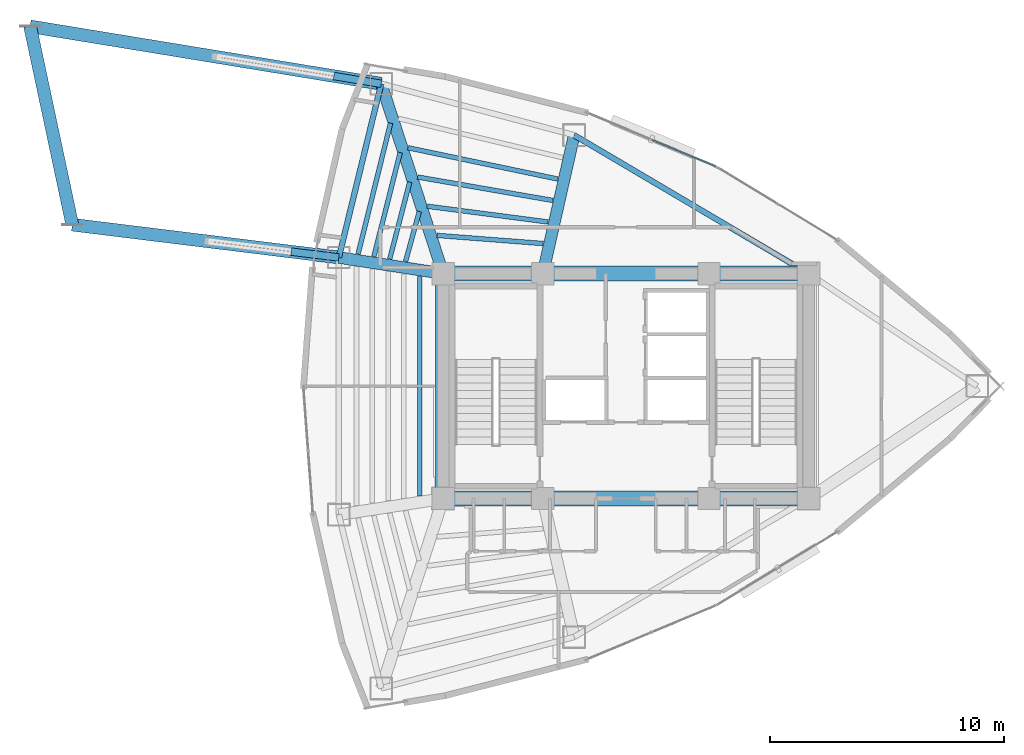
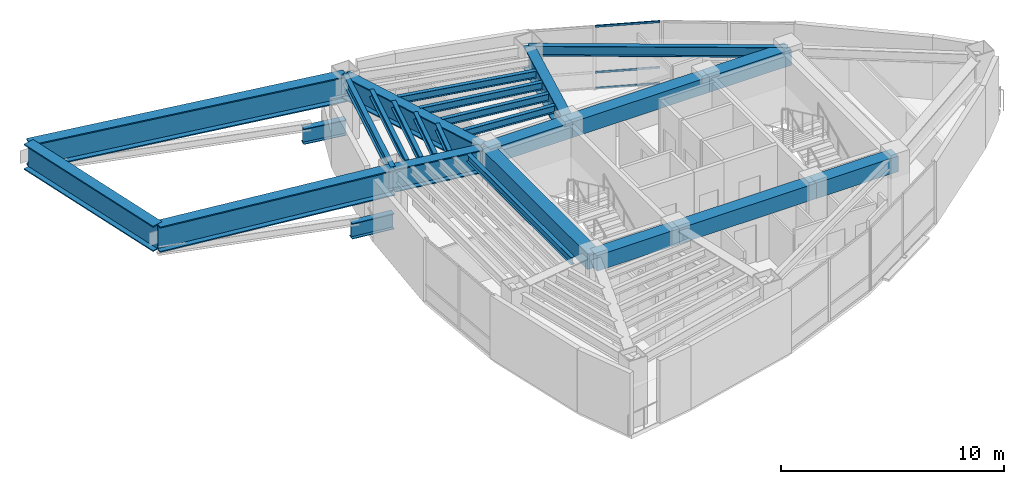
# One storey, part 5 of 14: 26 beams, 3 members, 1 element without a shape of its own.
"""IFC4 building model written with IfcOpenShell, lengths in metres."""

import ifcopenshell
import ifcopenshell.guid

model = None  # the IFC model being written
_history = None  # IfcOwnerHistory: only IFC2X3 demands one
_inside = {}  # id of a spatial element -> (the spatial element, [elements in it])
_under = {}  # id of a project, library or spatial element -> (it, [spatial elements below it])
_declared = {}  # id of a project -> (the project, [libraries it declares])
_typed = {}  # id of a type object -> (the type object, [elements of that type])
_made_of = {}  # id of a material, layer set ... -> (it, [elements and type objects made of it])


def new_model(schema):
    """Start an empty IFC model of exactly this schema.

    Asked for "IFC4X3", IfcOpenShell would pick the latest addendum, in which some entities
    have other attributes; the version numbers below select the first issue.
    IFC2X3 requires an IfcOwnerHistory on every rooted entity: one is made here for all.
    """
    global model, _history
    if schema == "IFC4X3":
        model = ifcopenshell.file(schema_version=(4, 3, 0, 0))
    else:
        model = ifcopenshell.file(schema=schema)
    _inside.clear()
    _under.clear()
    _declared.clear()
    _typed.clear()
    _made_of.clear()
    _history = None
    if model.schema == "IFC2X3":
        org = make("IfcOrganization", Name="unknown")
        user = make(
            "IfcPersonAndOrganization",
            ThePerson=make("IfcPerson", FamilyName="unknown"),
            TheOrganization=org,
        )
        app = make(
            "IfcApplication",
            ApplicationDeveloper=org,
            Version="unknown",
            ApplicationFullName="unknown",
            ApplicationIdentifier="unknown",
        )
        _history = make(
            "IfcOwnerHistory",
            OwningUser=user,
            OwningApplication=app,
            ChangeAction="ADDED",
            CreationDate=0,
        )
    return model


def make(cls, **values):
    """One entity of the class cls with the attributes given. An attribute that is None is left unset."""
    return model.create_entity(
        cls, **{name: value for name, value in values.items() if value is not None}
    )


def rooted(cls, **values):
    """An entity with a GlobalId (a new one), such as an element, a storey or a relation."""
    return make(cls, GlobalId=ifcopenshell.guid.new(), OwnerHistory=_history, **values)


def si_unit(unit_type, name, prefix=None):
    """IfcSIUnit, for example si_unit("LENGTHUNIT", "METRE", prefix="MILLI")."""
    return make("IfcSIUnit", UnitType=unit_type, Prefix=prefix, Name=name)


def assignment(units):
    """IfcUnitAssignment: the units of a project."""
    return None if units is None else make("IfcUnitAssignment", Units=units)


def point(xyz):
    """IfcCartesianPoint."""
    return None if xyz is None else make("IfcCartesianPoint", Coordinates=xyz)


def direction(xyz):
    """IfcDirection."""
    return None if xyz is None else make("IfcDirection", DirectionRatios=xyz)


def frame(location, z_axis=None, x_axis=None):
    """IfcAxis2Placement3D, a coordinate frame: its origin and axes. An axis left out is left unset."""
    return make(
        "IfcAxis2Placement3D",
        Location=point(location),
        Axis=direction(z_axis),
        RefDirection=direction(x_axis),
    )


def frame_2d(location, x_axis=None):
    """IfcAxis2Placement2D, a coordinate frame in the plane: its origin and x axis."""
    return make(
        "IfcAxis2Placement2D", Location=point(location), RefDirection=direction(x_axis)
    )


def origin():
    """The frame at (0, 0, 0) with its axes left unset."""
    return frame((0.0, 0.0, 0.0))


def origin_2d():
    """The frame at (0, 0) in the plane with its x axis left unset."""
    return frame_2d((0.0, 0.0))


def place(relative_to, where):
    """IfcLocalPlacement: puts the frame where relative to a parent placement (None: the world)."""
    return make(
        "IfcLocalPlacement", PlacementRelTo=relative_to, RelativePlacement=where
    )


def context(
    kind, dimensions, precision=None, world=None, true_north=None, identifier=None
):
    """IfcGeometricRepresentationContext, for example the 3D "Model" context."""
    return make(
        "IfcGeometricRepresentationContext",
        ContextIdentifier=identifier,
        ContextType=kind,
        CoordinateSpaceDimension=dimensions,
        Precision=precision,
        WorldCoordinateSystem=world,
        TrueNorth=true_north,
    )


def subcontext(parent, identifier, kind, view, scale=None):
    """IfcGeometricRepresentationSubContext, for example "Body" below "Model"."""
    return make(
        "IfcGeometricRepresentationSubContext",
        ContextIdentifier=identifier,
        ContextType=kind,
        ParentContext=parent,
        TargetScale=scale,
        TargetView=view,
    )


def project(units=None, contexts=None):
    """IfcProject with its units and contexts."""
    return rooted(
        "IfcProject",
        Name="project",
        RepresentationContexts=contexts,
        UnitsInContext=assignment(units),
    )


def spatial(cls, under=None, at=None, **own):
    """A site, building, storey or space (cls), placed at a placement, below another one or the project."""
    s = rooted(cls, ObjectPlacement=at, **own)
    if under is not None:
        _under.setdefault(under.id(), (under, []))[1].append(s)
    return s


def profile(cls, at=None, kind="AREA", **sizes):
    """A parametric profile (cls). Its sizes go by their IFC names, for example OverallWidth=200.0."""
    return make(cls, ProfileType=kind, Position=at, **sizes)


def rectangle(**sizes):
    """IfcRectangleProfileDef."""
    return profile("IfcRectangleProfileDef", **sizes)


def hollow_rectangle(**sizes):
    """IfcRectangleHollowProfileDef."""
    return profile("IfcRectangleHollowProfileDef", **sizes)


def i_section(**sizes):
    """IfcIShapeProfileDef."""
    return profile("IfcIShapeProfileDef", **sizes)


def extrude(swept, where, along, depth):
    """IfcExtrudedAreaSolid: the profile swept, set in the frame where, extruded along a direction by depth."""
    return make(
        "IfcExtrudedAreaSolid",
        SweptArea=swept,
        Position=where,
        ExtrudedDirection=direction(along),
        Depth=depth,
    )


def shape(context_of_items, identifier, shape_type, items):
    """IfcShapeRepresentation: the items that make up one representation, for example the "Body"."""
    return make(
        "IfcShapeRepresentation",
        ContextOfItems=context_of_items,
        RepresentationIdentifier=identifier,
        RepresentationType=shape_type,
        Items=items,
    )


def material(Name=None, Category=None):
    """IfcMaterial."""
    return make("IfcMaterial", Name=Name, Category=Category)


def layer(
    of_material, thickness, ventilated=None, Name=None, Category=None, Priority=None
):
    """IfcMaterialLayer: one layer of a wall or slab, of a material (None: an air gap)."""
    return make(
        "IfcMaterialLayer",
        Material=of_material,
        LayerThickness=thickness,
        IsVentilated=ventilated,
        Name=Name,
        Category=Category,
        Priority=Priority,
    )


def layer_set(layers, Name=None):
    """IfcMaterialLayerSet."""
    return make("IfcMaterialLayerSet", MaterialLayers=layers, LayerSetName=Name)


def material_profile(
    of_material, cross_section, Name=None, Category=None, Priority=None
):
    """IfcMaterialProfile: a cross section and its material."""
    return make(
        "IfcMaterialProfile",
        Name=Name,
        Material=of_material,
        Profile=cross_section,
        Priority=Priority,
        Category=Category,
    )


def profile_set(profiles, Name=None, composite=None):
    """IfcMaterialProfileSet."""
    return make(
        "IfcMaterialProfileSet",
        Name=Name,
        MaterialProfiles=profiles,
        CompositeProfile=composite,
    )


def made_of(thing, what):
    """Note that an element or type object is made of a material, layer set ...; save() writes the relation."""
    if what is not None:
        _made_of.setdefault(what.id(), (what, []))[1].append(thing)
    return thing


def type_object(cls, material=None, **own):
    """A type object (cls), such as IfcWallType, which elements share."""
    return made_of(rooted(cls, **own), material)


def element(
    cls,
    number,
    at=None,
    inside=None,
    cuts=None,
    type_object=None,
    material=None,
    context=None,
    identifier="Body",
    shape_type=None,
    held_by="IfcProductDefinitionShape",
    body=None,
    shapes=None,
    **own,
):
    """One element of the class cls, such as IfcWall. Its Tag is "e" and its number.

    at: its placement. inside: the storey or other place that contains it. cuts: it is an
    opening in that element (IfcRelVoidsElement). A single representation is given by context,
    identifier, shape_type and body (its items); several are given by shapes. held_by: the class
    of the entity that holds the representations. save() writes the other relations.
    """
    e = rooted(cls, Tag="e%d" % number, ObjectPlacement=at, **own)
    if body is not None:
        shapes = [shape(context, identifier, shape_type, body)]
    if shapes is not None:
        e.Representation = make(held_by, Representations=shapes)
    if inside is not None:
        _inside.setdefault(inside.id(), (inside, []))[1].append(e)
    if cuts is not None:
        rooted(
            "IfcRelVoidsElement", RelatingBuildingElement=cuts, RelatedOpeningElement=e
        )
    if type_object is not None:
        _typed.setdefault(type_object.id(), (type_object, []))[1].append(e)
    return made_of(e, material)


def aggregate(whole, parts):
    """IfcRelAggregates: a whole, such as a stair, and the parts it consists of."""
    return rooted("IfcRelAggregates", RelatingObject=whole, RelatedObjects=parts)


def save(model, path):
    """Write the relations noted so far, then the file.

    IfcRelAggregates (storeys below a building ...), IfcRelContainedInSpatialStructure (elements
    in a storey), IfcRelDefinesByType, IfcRelAssociatesMaterial and IfcRelDeclares: one each for
    every whole, place, type object, material and project.
    """
    for whole, parts in _under.values():
        aggregate(whole, parts)
    for where, things in _inside.values():
        rooted(
            "IfcRelContainedInSpatialStructure",
            RelatedElements=things,
            RelatingStructure=where,
        )
    for kind, things in _typed.values():
        rooted("IfcRelDefinesByType", RelatedObjects=things, RelatingType=kind)
    for what, things in _made_of.values():
        rooted("IfcRelAssociatesMaterial", RelatedObjects=things, RelatingMaterial=what)
    for by, libraries in _declared.values():
        rooted("IfcRelDeclares", RelatingContext=by, RelatedDefinitions=libraries)
    model.write(path)


model = new_model("IFC4")

# Units and contexts
model_context = context("Model", 3, precision=1e-05, world=origin(), true_north=direction((0.0, 1.0)))
body_context = subcontext(model_context, "Body", "Model", "MODEL_VIEW")
ifc_project = project(units=[si_unit("LENGTHUNIT", "METRE"), si_unit("AREAUNIT", "SQUARE_METRE"), si_unit("VOLUMEUNIT", "CUBIC_METRE"), si_unit("PLANEANGLEUNIT", "RADIAN"), si_unit("MASSUNIT", "GRAM", prefix="KILO")], contexts=[model_context])

# Site, building, storey
site_placement = place(None, origin())
site = spatial("IfcSite", under=ifc_project, at=site_placement, CompositionType="ELEMENT")
building_placement = place(site_placement, origin())
building = spatial("IfcBuilding", under=site, at=building_placement, Name="Menara Vayukalpa", CompositionType="ELEMENT")
storey_placement = place(building_placement, frame((0.0, 0.0, 191.52001953125)))
storey = spatial("IfcBuildingStorey", under=building, at=storey_placement, Name="L48", CompositionType="ELEMENT", Elevation=191.52001953125)

# Beams
ifc_material_1 = material(Name="Concrete C60/75", Category="concrete")
ifc_material_profile_1 = material_profile(ifc_material_1, rectangle(XDim=0.64990234375, YDim=0.85009765625, at=origin_2d()), Name="RC 650x850")
ifc_profile_set_1 = profile_set([ifc_material_profile_1], Name="Concrete C60/75")
beam_type_1 = type_object("IfcBeamType", Name="BM-CB1", PredefinedType="BEAM", material=ifc_profile_set_1)
beam_1_placement = place(storey_placement, frame((17.800048828125, 17.199951171875, 3.014892578125), z_axis=(1.0, 0.0, 0.0), x_axis=(0.0, 1.0, 0.0)))
element("IfcBeam", 1, at=beam_1_placement, inside=storey, type_object=beam_type_1, Name="L48 Core Tie Beam CBR1", PredefinedType="BEAM", context=body_context, shape_type="SweptSolid", body=[
    extrude(rectangle(XDim=0.64990234375, YDim=0.85009765625, at=origin_2d()), origin(), (0.0, 0.0, 1.0), 4.25),
])
beam_2_placement = place(storey_placement, frame((22.050048828125, 17.199951171875, 3.014892578125), z_axis=(1.0, 0.0, 0.0), x_axis=(0.0, 1.0, 0.0)))
element("IfcBeam", 2, at=beam_2_placement, inside=storey, type_object=beam_type_1, Name="L48 Core Tie Beam CBR2", PredefinedType="BEAM", context=body_context, shape_type="SweptSolid", body=[
    extrude(rectangle(XDim=0.64990234375, YDim=0.85009765625, at=origin_2d()), origin(), (0.0, 0.0, 1.0), 7.099853515625),
])
for number, where, z_axis, x_axis, name in (
    (3, (29.14990234375, 17.199951171875, 3.014892578125), (1.0, 0.0, 0.0), (0.0, 1.0, 0.0), "L48 Core Tie Beam CBR3"),
    (4, (17.800048828125, 26.800048828125, 3.014892578125), (1.0, 0.0, 0.0), (0.0, 1.0, 0.0), "L48 Core Tie Beam CBR4"),
):
    element("IfcBeam", number, at=place(storey_placement, frame(where, z_axis=z_axis, x_axis=x_axis)), inside=storey, type_object=beam_type_1, Name=name, PredefinedType="BEAM", context=body_context, shape_type="SweptSolid", body=[
        extrude(rectangle(XDim=0.64990234375, YDim=0.85009765625, at=origin_2d()), origin(), (0.0, 0.0, 1.0), 4.25),
    ])
beam_3_placement = place(storey_placement, frame((22.050048828125, 26.800048828125, 3.014892578125), z_axis=(1.0, 0.0, 0.0), x_axis=(0.0, 1.0, 0.0)))
element("IfcBeam", 5, at=beam_3_placement, inside=storey, type_object=beam_type_1, Name="L48 Core Tie Beam CBR5", PredefinedType="BEAM", context=body_context, shape_type="SweptSolid", body=[
    extrude(rectangle(XDim=0.64990234375, YDim=0.85009765625, at=origin_2d()), origin(), (0.0, 0.0, 1.0), 7.099853515625),
])
beam_4_placement = place(storey_placement, frame((29.14990234375, 26.800048828125, 3.014892578125), z_axis=(1.0, 0.0, 0.0), x_axis=(0.0, 1.0, 0.0)))
element("IfcBeam", 6, at=beam_4_placement, inside=storey, type_object=beam_type_1, Name="L48 Core Tie Beam CBR6", PredefinedType="BEAM", context=body_context, shape_type="SweptSolid", body=[
    extrude(rectangle(XDim=0.64990234375, YDim=0.85009765625, at=origin_2d()), origin(), (0.0, 0.0, 1.0), 4.25),
])
beam_5_placement = place(storey_placement, frame((17.800048828125, 17.199951171875, 3.014892578125), z_axis=(0.0, 1.0, 0.0), x_axis=(-1.0, 0.0, 0.0)))
element("IfcBeam", 7, at=beam_5_placement, inside=storey, type_object=beam_type_1, Name="L48 Core Tie Beam CBR7", PredefinedType="BEAM", context=body_context, shape_type="SweptSolid", body=[
    extrude(rectangle(XDim=0.64990234375, YDim=0.85009765625, at=origin_2d()), origin(), (0.0, 0.0, 1.0), 9.60009765625),
])
ifc_material_2 = material(Name="Steel S355", Category="steel")
ifc_material_profile_2 = material_profile(ifc_material_2, i_section(OverallWidth=0.320068359375, OverallDepth=0.85009765625, WebThickness=0.01611328125, FlangeThickness=0.030029296875, at=origin_2d()), Name="WF 850x320x16x30")
ifc_profile_set_2 = profile_set([ifc_material_profile_2], Name="Steel S355")
beam_type_2 = type_object("IfcBeamType", Name="BM-PG2E", PredefinedType="BEAM", material=ifc_profile_set_2)
for number, where, z_axis, x_axis, name in (
    (8, (15.15478515625, 34.902587890625, 0.550048828125), (-0.986875618085, 0.161482241839, 0.0), (-0.161482241839, -0.986875618085, 0.0), "L48 SB4 Exterior Outrigger Corbel Bracket 04"),
    (9, (13.343994140625, 27.4892578125, 0.550048828125), (-0.992521447714, 0.122070372439, 0.0), (-0.122070372439, -0.992521447714, 0.0), "L48 SB4 Exterior Outrigger Corbel Bracket 05"),
):
    element("IfcBeam", number, at=place(storey_placement, frame(where, z_axis=z_axis, x_axis=x_axis)), inside=storey, type_object=beam_type_2, Name=name, PredefinedType="BEAM", context=body_context, shape_type="SweptSolid", body=[
        extrude(i_section(OverallWidth=0.320068359375, OverallDepth=0.85009765625, WebThickness=0.01611328125, FlangeThickness=0.030029296875, at=origin_2d()), origin(), (0.0, 0.0, 1.0), 2.050048828125),
    ])
ifc_material_3 = material(Name="Steel S355", Category="steel")
ifc_material_profile_3 = material_profile(ifc_material_3, i_section(OverallWidth=0.199951171875, OverallDepth=0.39990234375, WebThickness=0.008056640625, FlangeThickness=0.012939453125, at=origin_2d()), Name="WF 400x200x8x13")
ifc_profile_set_3 = profile_set([ifc_material_profile_3], Name="Steel S355")
beam_type_3 = type_object("IfcBeamType", Name="BM-SJ2", PredefinedType="JOIST", material=ifc_profile_set_3)
beam_6_placement = place(storey_placement, frame((22.067138671875, 28.083984375, 3.239990234375), z_axis=(-0.997061738615, 0.076602150037, 0.0), x_axis=(-0.076602150037, -0.997061738615, 0.0)))
element("IfcBeam", 10, at=beam_6_placement, inside=storey, type_object=beam_type_3, Name="L48 Secondary Floor Joist SJ03-1", PredefinedType="JOIST", context=body_context, shape_type="SweptSolid", body=[
    extrude(i_section(OverallWidth=0.199951171875, OverallDepth=0.39990234375, WebThickness=0.008056640625, FlangeThickness=0.012939453125, at=origin_2d()), origin(), (0.0, 0.0, 1.0), 4.55126953125),
])
beam_7_placement = place(storey_placement, frame((22.274169921875, 29.004638671875, 3.239990234375), z_axis=(-0.991607477549, 0.129284997073, 0.0), x_axis=(-0.129284997073, -0.991607477549, 0.0)))
element("IfcBeam", 11, at=beam_7_placement, inside=storey, type_object=beam_type_3, Name="L48 Secondary Floor Joist SJ03-2", PredefinedType="JOIST", context=body_context, shape_type="SweptSolid", body=[
    extrude(i_section(OverallWidth=0.199951171875, OverallDepth=0.39990234375, WebThickness=0.008056640625, FlangeThickness=0.012939453125, at=origin_2d()), origin(), (0.0, 0.0, 1.0), 5.20068359375),
])
beam_8_placement = place(storey_placement, frame((22.481201171875, 29.922119140625, 3.239990234375), z_axis=(-0.985288673675, 0.17089830171, 0.0), x_axis=(-0.17089830171, -0.985288673675, 0.0)))
element("IfcBeam", 12, at=beam_8_placement, inside=storey, type_object=beam_type_3, Name="L48 Secondary Floor Joist SJ03-3", PredefinedType="JOIST", context=body_context, shape_type="SweptSolid", body=[
    extrude(i_section(OverallWidth=0.199951171875, OverallDepth=0.39990234375, WebThickness=0.008056640625, FlangeThickness=0.012939453125, at=origin_2d()), origin(), (0.0, 0.0, 1.0), 5.86279296875),
])
beam_9_placement = place(storey_placement, frame((22.6884765625, 30.837646484375, 3.239990234375), z_axis=(-0.978885821619, 0.204407798858, 0.0), x_axis=(-0.204407798858, -0.978885821619, 0.0)))
element("IfcBeam", 13, at=beam_9_placement, inside=storey, type_object=beam_type_3, Name="L48 Secondary Floor Joist SJ03-4", PredefinedType="JOIST", context=body_context, shape_type="SweptSolid", body=[
    extrude(i_section(OverallWidth=0.199951171875, OverallDepth=0.39990234375, WebThickness=0.008056640625, FlangeThickness=0.012939453125, at=origin_2d()), origin(), (0.0, 0.0, 1.0), 6.534423828125),
])
beam_10_placement = place(storey_placement, frame((16.778076171875, 29.451416015625, 3.239990234375), z_axis=(-0.264537731064, -0.964375336082, 0.0), x_axis=(0.964375336082, -0.264537731064, 0.0)))
element("IfcBeam", 14, at=beam_10_placement, inside=storey, type_object=beam_type_3, Name="L48 Secondary Floor Joist SJ04-2", PredefinedType="JOIST", context=body_context, shape_type="SweptSolid", body=[
    extrude(i_section(OverallWidth=0.199951171875, OverallDepth=0.39990234375, WebThickness=0.008056640625, FlangeThickness=0.012939453125, at=origin_2d()), origin(), (0.0, 0.0, 1.0), 2.21044921875),
])
beam_11_placement = place(storey_placement, frame((16.37060546875, 30.708740234375, 3.239990234375), z_axis=(-0.251768645985, -0.967787450269, 0.0), x_axis=(0.967787450269, -0.251768645985, 0.0)))
element("IfcBeam", 15, at=beam_11_placement, inside=storey, type_object=beam_type_3, Name="L48 Secondary Floor Joist SJ04-3", PredefinedType="JOIST", context=body_context, shape_type="SweptSolid", body=[
    extrude(i_section(OverallWidth=0.199951171875, OverallDepth=0.39990234375, WebThickness=0.008056640625, FlangeThickness=0.012939453125, at=origin_2d()), origin(), (0.0, 0.0, 1.0), 3.39306640625),
])
beam_12_placement = place(storey_placement, frame((15.961669921875, 31.966796875, 3.239990234375), z_axis=(-0.244857039834, -0.969559193677, 0.0), x_axis=(0.969559193677, -0.244857039834, 0.0)))
element("IfcBeam", 16, at=beam_12_placement, inside=storey, type_object=beam_type_3, Name="L48 Secondary Floor Joist SJ04-4", PredefinedType="JOIST", context=body_context, shape_type="SweptSolid", body=[
    extrude(i_section(OverallWidth=0.199951171875, OverallDepth=0.39990234375, WebThickness=0.008056640625, FlangeThickness=0.012939453125, at=origin_2d()), origin(), (0.0, 0.0, 1.0), 4.57666015625),
])
beam_13_placement = place(storey_placement, frame((15.552001953125, 33.224853515625, 3.239990234375), z_axis=(-0.240540477714, -0.97063910831, 0.0), x_axis=(0.97063910831, -0.240540477714, 0.0)))
element("IfcBeam", 17, at=beam_13_placement, inside=storey, type_object=beam_type_3, Name="L48 Secondary Floor Joist SJ04-5", PredefinedType="JOIST", context=body_context, shape_type="SweptSolid", body=[
    extrude(i_section(OverallWidth=0.199951171875, OverallDepth=0.39990234375, WebThickness=0.008056640625, FlangeThickness=0.012939453125, at=origin_2d()), origin(), (0.0, 0.0, 1.0), 5.760009765625),
])
beam_14_placement = place(storey_placement, frame((16.79541015625, 26.685302734375, 3.239990234375), z_axis=(0.0, -1.0, 0.0), x_axis=(1.0, 0.0, 0.0)))
element("IfcBeam", 18, at=beam_14_placement, inside=storey, type_object=beam_type_3, Name="L48 Secondary Floor Joist SJ05-1", PredefinedType="JOIST", context=body_context, shape_type="SweptSolid", body=[
    extrude(i_section(OverallWidth=0.199951171875, OverallDepth=0.39990234375, WebThickness=0.008056640625, FlangeThickness=0.012939453125, at=origin_2d()), origin(), (0.0, 0.0, 1.0), 9.37060546875),
])
ifc_material_4 = material(Name="Steel S355", Category="steel")
ifc_material_profile_4 = material_profile(ifc_material_4, i_section(OverallWidth=0.239990234375, OverallDepth=0.550048828125, WebThickness=0.010986328125, FlangeThickness=0.01904296875, at=origin_2d()), Name="WF 550x240x11x19")
ifc_profile_set_4 = profile_set([ifc_material_profile_4], Name="Steel S355")
beam_type_4 = type_object("IfcBeamType", Name="BM-SP2", PredefinedType="SPANDREL", material=ifc_profile_set_4)
beam_15_placement = place(storey_placement, frame((33.39990234375, 26.800048828125, 3.1650390625), z_axis=(-0.861184403346, 0.508292655302, 0.0), x_axis=(-0.508292655302, -0.861184403346, 0.0)))
element("IfcBeam", 19, at=beam_15_placement, inside=storey, type_object=beam_type_4, Name="L48 Perimeter Spandrel Beam SP02", PredefinedType="SPANDREL", context=body_context, shape_type="SweptSolid", body=[
    extrude(i_section(OverallWidth=0.239990234375, OverallDepth=0.550048828125, WebThickness=0.010986328125, FlangeThickness=0.01904296875, at=origin_2d()), origin(), (0.0, 0.0, 1.0), 11.6240234375),
])
beam_16_placement = place(storey_placement, frame((15.15478515625, 34.902587890625, 3.1650390625), z_axis=(-0.237285374413, -0.971439988414, 0.0), x_axis=(0.971439988414, -0.237285374413, 0.0)))
element("IfcBeam", 20, at=beam_16_placement, inside=storey, type_object=beam_type_4, Name="L48 Perimeter Spandrel Beam SP04", PredefinedType="SPANDREL", context=body_context, shape_type="SweptSolid", body=[
    extrude(i_section(OverallWidth=0.239990234375, OverallDepth=0.550048828125, WebThickness=0.010986328125, FlangeThickness=0.01904296875, at=origin_2d()), origin(), (0.0, 0.0, 1.0), 7.63134765625),
])
ifc_material_5 = material(Name="Steel S460", Category="steel")
ifc_material_profile_5 = material_profile(ifc_material_5, i_section(OverallWidth=0.550048828125, OverallDepth=1.39990234375, WebThickness=0.031982421875, FlangeThickness=0.06005859375, at=origin_2d()), Name="WG 1400x550x32x60")
ifc_profile_set_5 = profile_set([ifc_material_profile_5], Name="Steel S460")
beam_type_5 = type_object("IfcBeamType", Name="BM-TG1", PredefinedType="BEAM", material=ifc_profile_set_5)
beam_17_placement = place(storey_placement, frame((0.165283203125, 37.35498046875, 2.739990234375), z_axis=(0.208089844975, -0.978109715941, 0.0), x_axis=(0.978109715941, 0.208089844975, 0.0)))
element("IfcBeam", 21, at=beam_17_placement, inside=storey, type_object=beam_type_5, Name="L48 SB4 Support Edge Transfer Beam 1", PredefinedType="BEAM", context=body_context, shape_type="SweptSolid", body=[
    extrude(i_section(OverallWidth=0.550048828125, OverallDepth=1.39990234375, WebThickness=0.031982421875, FlangeThickness=0.06005859375, at=origin_2d()), origin(), (0.0, 0.0, 1.0), 8.655029296875),
])
ifc_material_6 = material(Name="Steel S460", Category="steel")
ifc_material_profile_6 = material_profile(ifc_material_6, i_section(OverallWidth=0.550048828125, OverallDepth=1.39990234375, WebThickness=0.031982421875, FlangeThickness=0.06005859375, at=origin_2d()), Name="WG 1400x550x32x60")
ifc_profile_set_6 = profile_set([ifc_material_profile_6], Name="Steel S460")
beam_type_6 = type_object("IfcBeamType", Name="BM-TG1E", PredefinedType="BEAM", material=ifc_profile_set_6)
beam_18_placement = place(storey_placement, frame((15.15478515625, 34.902587890625, 2.739990234375), z_axis=(-0.986879146906, 0.161460674474, 0.0), x_axis=(-0.161460674474, -0.986879146906, 0.0)))
element("IfcBeam", 22, at=beam_18_placement, inside=storey, type_object=beam_type_6, Name="L48 SB4 Cantilever Support Transfer Girder 04", PredefinedType="BEAM", context=body_context, shape_type="SweptSolid", body=[
    extrude(i_section(OverallWidth=0.550048828125, OverallDepth=1.39990234375, WebThickness=0.031982421875, FlangeThickness=0.06005859375, at=origin_2d()), origin(), (0.0, 0.0, 1.0), 15.188720703125),
])
beam_19_placement = place(storey_placement, frame((13.343994140625, 27.4892578125, 2.739990234375), z_axis=(-0.992512957278, 0.122139386091, 0.0), x_axis=(-0.122139386091, -0.992512957278, 0.0)))
element("IfcBeam", 23, at=beam_19_placement, inside=storey, type_object=beam_type_6, Name="L48 SB4 Cantilever Support Transfer Girder 05", PredefinedType="BEAM", context=body_context, shape_type="SweptSolid", body=[
    extrude(i_section(OverallWidth=0.550048828125, OverallDepth=1.39990234375, WebThickness=0.031982421875, FlangeThickness=0.06005859375, at=origin_2d()), origin(), (0.0, 0.0, 1.0), 11.463623046875),
])
ifc_material_7 = material(Name="Steel S460", Category="steel")
ifc_material_profile_7 = material_profile(ifc_material_7, i_section(OverallWidth=0.5, OverallDepth=1.25, WebThickness=0.028076171875, FlangeThickness=0.054931640625, at=origin_2d()), Name="WG 1250x500x28x55")
ifc_profile_set_7 = profile_set([ifc_material_profile_7], Name="Steel S460")
beam_type_7 = type_object("IfcBeamType", Name="BM-TG2", PredefinedType="BEAM", material=ifc_profile_set_7)
beam_20_placement = place(storey_placement, frame((22.105224609375, 27.043701171875, 2.81494140625), z_axis=(0.221085149161, 0.975254508741, 0.0), x_axis=(-0.975254508741, 0.221085149161, 0.0)))
element("IfcBeam", 24, at=beam_20_placement, inside=storey, type_object=beam_type_7, Name="L48 Primary Radial Girder RG03", PredefinedType="BEAM", context=body_context, shape_type="SweptSolid", body=[
    extrude(i_section(OverallWidth=0.5, OverallDepth=1.25, WebThickness=0.028076171875, FlangeThickness=0.054931640625, at=origin_2d()), origin(), (0.0, 0.0, 1.0), 5.80859375),
])
beam_21_placement = place(storey_placement, frame((17.722412109375, 27.03759765625, 2.81494140625), z_axis=(-0.310343552153, 0.950624468251, 0.0), x_axis=(-0.950624468251, -0.310343552153, 0.0)))
element("IfcBeam", 25, at=beam_21_placement, inside=storey, type_object=beam_type_7, Name="L48 Primary Radial Girder RG04", PredefinedType="BEAM", context=body_context, shape_type="SweptSolid", body=[
    extrude(i_section(OverallWidth=0.5, OverallDepth=1.25, WebThickness=0.028076171875, FlangeThickness=0.054931640625, at=origin_2d()), origin(), (0.0, 0.0, 1.0), 8.2734375),
])
beam_22_placement = place(storey_placement, frame((17.552978515625, 26.838134765625, 2.81494140625), z_axis=(-0.988244781219, 0.152879862617, 0.0), x_axis=(-0.152879862617, -0.988244781219, 0.0)))
element("IfcBeam", 26, at=beam_22_placement, inside=storey, type_object=beam_type_7, Name="L48 Primary Radial Girder RG05", PredefinedType="BEAM", context=body_context, shape_type="SweptSolid", body=[
    extrude(i_section(OverallWidth=0.5, OverallDepth=1.25, WebThickness=0.028076171875, FlangeThickness=0.054931640625, at=origin_2d()), origin(), (0.0, 0.0, 1.0), 4.259033203125),
])

# Curtain wall, members
ifc_material_8 = material(Name="Anodised Terracotta Aluminium Alloy 6063-T6", Category="masonry")
ifc_layer = layer(ifc_material_8, 0.139892578125)
ifc_layer_set = layer_set([ifc_layer], Name="Anodised Terracotta Aluminium Alloy 6063-T6")
curtain_wall_type = type_object("IfcCurtainWallType", Name="CW-CW5", PredefinedType="USERDEFINED", material=ifc_layer_set)
curtain_wall_placement = place(storey_placement, origin())
curtain_wall = element("IfcCurtainWall", 27, at=curtain_wall_placement, inside=storey, type_object=curtain_wall_type, Name="L48 High Rise Tapered Curtain Wall CW5 05", ObjectType="UNITISED", PredefinedType="USERDEFINED")
ifc_material_9 = material(Name="Anodised Terracotta Aluminium Alloy 6063-T6", Category="masonry")
ifc_material_profile_8 = material_profile(ifc_material_9, hollow_rectangle(XDim=0.06005859375, YDim=0.10498046875, WallThickness=0.0029296875, at=origin_2d()), Name="ALU 60x105x3")
ifc_profile_set_8 = profile_set([ifc_material_profile_8], Name="Anodised Terracotta Aluminium Alloy 6063-T6")
member_type = type_object("IfcMemberType", Name="CWT-CW5", PredefinedType="USERDEFINED", material=ifc_profile_set_8)
member_1_placement = place(storey_placement, frame((29.428466796875, 31.371337890625, 0.030029296875), z_axis=(-0.922543360613, 0.385893440976, 0.0), x_axis=(-0.385893440976, -0.922543360613, 0.0)))
member_1 = element("IfcMember", 28, at=member_1_placement, type_object=member_type, Name="CW5 transom 1.1", ObjectType="TRANSOM", PredefinedType="USERDEFINED", context=body_context, shape_type="SweptSolid", body=[
    extrude(hollow_rectangle(XDim=0.06005859375, YDim=0.10498046875, WallThickness=0.0029296875, at=origin_2d()), origin(), (0.0, 0.0, 1.0), 2.942626953125),
])
member_2_placement = place(storey_placement, frame((29.428466796875, 31.371337890625, 0.89990234375), z_axis=(-0.922543360613, 0.385893440976, 0.0), x_axis=(-0.385893440976, -0.922543360613, 0.0)))
member_2 = element("IfcMember", 29, at=member_2_placement, type_object=member_type, Name="CW5 transom 1.2", ObjectType="TRANSOM", PredefinedType="USERDEFINED", context=body_context, shape_type="SweptSolid", body=[
    extrude(hollow_rectangle(XDim=0.06005859375, YDim=0.10498046875, WallThickness=0.0029296875, at=origin_2d()), origin(), (0.0, 0.0, 1.0), 2.942626953125),
])
member_3_placement = place(storey_placement, frame((29.428466796875, 31.371337890625, 3.409912109375), z_axis=(-0.922543360613, 0.385893440976, 0.0), x_axis=(-0.385893440976, -0.922543360613, 0.0)))
member_3 = element("IfcMember", 30, at=member_3_placement, type_object=member_type, Name="CW5 transom 1.3", ObjectType="TRANSOM", PredefinedType="USERDEFINED", context=body_context, shape_type="SweptSolid", body=[
    extrude(hollow_rectangle(XDim=0.06005859375, YDim=0.10498046875, WallThickness=0.0029296875, at=origin_2d()), origin(), (0.0, 0.0, 1.0), 2.942626953125),
])
aggregate(curtain_wall, [member_1, member_2, member_3])

save(model, "model.ifc")
